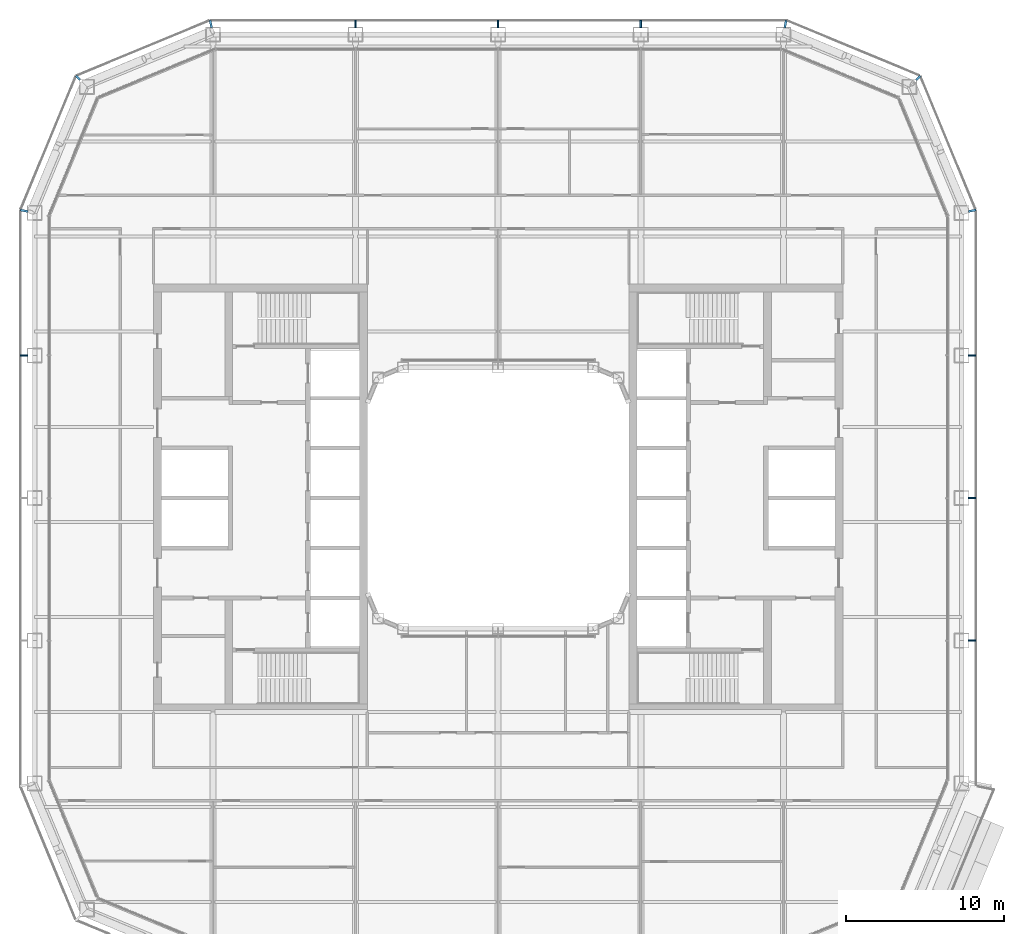
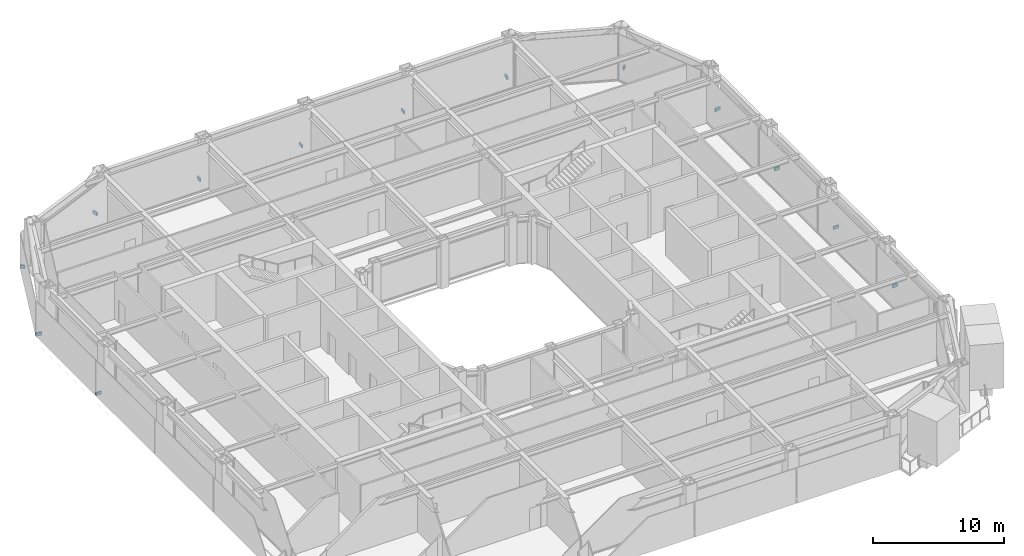
# One storey, part 17 of 23: 13 discrete accessories.
"""IFC4 building model written with IfcOpenShell, lengths in metres."""

from ifc_helpers import new_model, si_unit, direction, frame, origin, origin_2d, place, context, subcontext, project, spatial, rectangle, extrude, material, type_object, element, save


model = new_model("IFC4")

# Units and contexts
model_context = context("Model", 3, precision=1e-05, world=origin(), true_north=direction((0.0, 1.0)))
body_context = subcontext(model_context, "Body", "Model", "MODEL_VIEW")
ifc_project = project(units=[si_unit("LENGTHUNIT", "METRE"), si_unit("AREAUNIT", "SQUARE_METRE"), si_unit("VOLUMEUNIT", "CUBIC_METRE"), si_unit("PLANEANGLEUNIT", "RADIAN"), si_unit("MASSUNIT", "GRAM", prefix="KILO")], contexts=[model_context])

# Site, building, storey
site_placement = place(None, origin())
site = spatial("IfcSite", under=ifc_project, at=site_placement, CompositionType="ELEMENT")
building_placement = place(site_placement, origin())
building = spatial("IfcBuilding", under=site, at=building_placement, Name="Siwar Civic Tower", CompositionType="ELEMENT")
storey_placement = place(building_placement, frame((0.0, 0.0, 109.199951171875)))
storey = spatial("IfcBuildingStorey", under=building, at=storey_placement, Name="L23", CompositionType="ELEMENT", Elevation=109.199951171875)

# Discrete accessories
ifc_material = material(Name="Stainless steel 316", Category="steel")
discrete_accessory_type = type_object("IfcDiscreteAccessoryType", Name="ENV-BRACKET", PredefinedType="BRACKET", material=ifc_material)
for number, where, z_axis, x_axis, name in (
    (1, (29.9150390625, -9.0, -0.14990234375), (0.0, 0.0, 1.0), (1.0, 0.0, 0.0), "Bracket outer skin joint E-01"),
    (2, (29.9150390625, 0.0, -0.14990234375), (0.0, 0.0, 1.0), (1.0, 0.0, 0.0), "Bracket outer skin joint E-02"),
    (3, (29.9150390625, 9.0, -0.14990234375), (0.0, 0.0, 1.0), (1.0, 0.0, 0.0), "Bracket outer skin joint E-03"),
    (4, (9.0, 29.9150390625, -0.14990234375), (0.0, 0.0, 1.0), (0.0, 1.0, 0.0), "Bracket outer skin joint N-01"),
    (5, (0.0, 29.9150390625, -0.14990234375), (0.0, 0.0, 1.0), (0.0, 1.0, 0.0), "Bracket outer skin joint N-02"),
    (6, (-9.0, 29.9150390625, -0.14990234375), (0.0, 0.0, 1.0), (0.0, 1.0, 0.0), "Bracket outer skin joint N-03"),
):
    element("IfcDiscreteAccessory", number, at=place(storey_placement, frame(where, z_axis=z_axis, x_axis=x_axis)), inside=storey, type_object=discrete_accessory_type, Name=name, PredefinedType="BRACKET", context=body_context, shape_type="SweptSolid", body=[
        extrude(rectangle(XDim=0.469970703125, YDim=0.10009765625, at=origin_2d()), origin(), (0.0, 0.0, 1.0), 0.300048828125),
    ])
discrete_accessory_1_placement = place(storey_placement, frame((29.915283203125, 18.13232421875, -0.14990234375), z_axis=(0.0, 0.0, 1.0), x_axis=(0.980785280403, 0.195090322016, 0.0)))
element("IfcDiscreteAccessory", 7, at=discrete_accessory_1_placement, inside=storey, type_object=discrete_accessory_type, Name="Bracket outer skin joint V04", PredefinedType="BRACKET", context=body_context, shape_type="SweptSolid", body=[
    extrude(rectangle(XDim=0.478759765625, YDim=0.13720703125, at=origin_2d()), origin(), (0.0, 0.0, 1.0), 0.300048828125),
])
discrete_accessory_2_placement = place(storey_placement, frame((26.517333984375, 26.517333984375, -0.14990234375), z_axis=(0.0, 0.0, 1.0), x_axis=(0.707106781187, 0.707106781187, 0.0)))
element("IfcDiscreteAccessory", 8, at=discrete_accessory_2_placement, inside=storey, type_object=discrete_accessory_type, Name="Bracket outer skin joint V05", PredefinedType="BRACKET", context=body_context, shape_type="SweptSolid", body=[
    extrude(rectangle(XDim=0.357666015625, YDim=0.12939453125, at=origin_2d()), origin(), (0.0, 0.0, 1.0), 0.300048828125),
])
for number, where, z_axis, x_axis, name in (
    (9, (18.13232421875, 29.915283203125, -0.14990234375), (0.0, 0.0, 1.0), (0.195090322016, 0.980785280403, 0.0), "Bracket outer skin joint V06"),
    (10, (-18.13232421875, 29.915283203125, -0.14990234375), (0.0, 0.0, 1.0), (-0.195090322016, 0.980785280403, 0.0), "Bracket outer skin joint V07"),
):
    element("IfcDiscreteAccessory", number, at=place(storey_placement, frame(where, z_axis=z_axis, x_axis=x_axis)), inside=storey, type_object=discrete_accessory_type, Name=name, PredefinedType="BRACKET", context=body_context, shape_type="SweptSolid", body=[
        extrude(rectangle(XDim=0.478759765625, YDim=0.13720703125, at=origin_2d()), origin(), (0.0, 0.0, 1.0), 0.300048828125),
    ])
discrete_accessory_3_placement = place(storey_placement, frame((-26.517333984375, 26.517333984375, -0.14990234375), z_axis=(0.0, 0.0, 1.0), x_axis=(-0.707106781187, 0.707106781187, 0.0)))
element("IfcDiscreteAccessory", 11, at=discrete_accessory_3_placement, inside=storey, type_object=discrete_accessory_type, Name="Bracket outer skin joint V08", PredefinedType="BRACKET", context=body_context, shape_type="SweptSolid", body=[
    extrude(rectangle(XDim=0.357666015625, YDim=0.12939453125, at=origin_2d()), origin(), (0.0, 0.0, 1.0), 0.300048828125),
])
discrete_accessory_4_placement = place(storey_placement, frame((-29.915283203125, 18.13232421875, -0.14990234375), z_axis=(0.0, 0.0, 1.0), x_axis=(-0.980785280403, 0.195090322016, 0.0)))
element("IfcDiscreteAccessory", 12, at=discrete_accessory_4_placement, inside=storey, type_object=discrete_accessory_type, Name="Bracket outer skin joint V09", PredefinedType="BRACKET", context=body_context, shape_type="SweptSolid", body=[
    extrude(rectangle(XDim=0.478759765625, YDim=0.13720703125, at=origin_2d()), origin(), (0.0, 0.0, 1.0), 0.300048828125),
])
discrete_accessory_5_placement = place(storey_placement, frame((-29.9150390625, 9.0, -0.14990234375), z_axis=(0.0, 0.0, 1.0), x_axis=(-1.0, 0.0, 0.0)))
element("IfcDiscreteAccessory", 13, at=discrete_accessory_5_placement, inside=storey, type_object=discrete_accessory_type, Name="Bracket outer skin joint W-01", PredefinedType="BRACKET", context=body_context, shape_type="SweptSolid", body=[
    extrude(rectangle(XDim=0.469970703125, YDim=0.10009765625, at=origin_2d()), origin(), (0.0, 0.0, 1.0), 0.300048828125),
])

save(model, "model.ifc")
